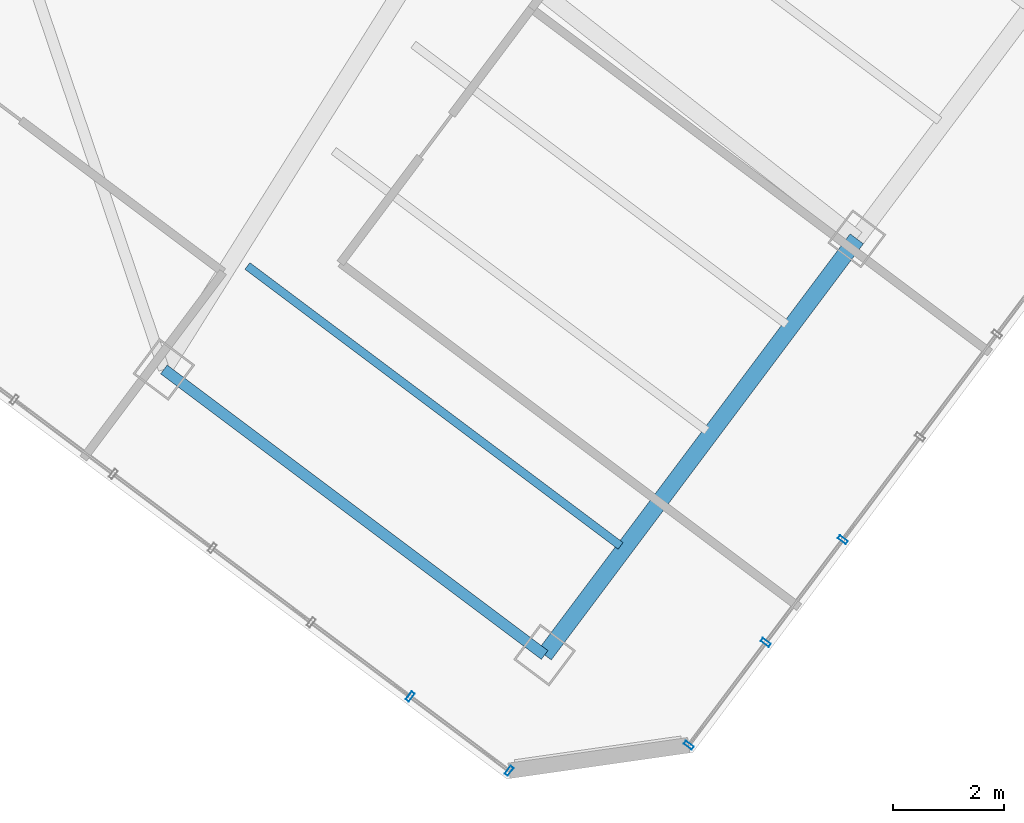
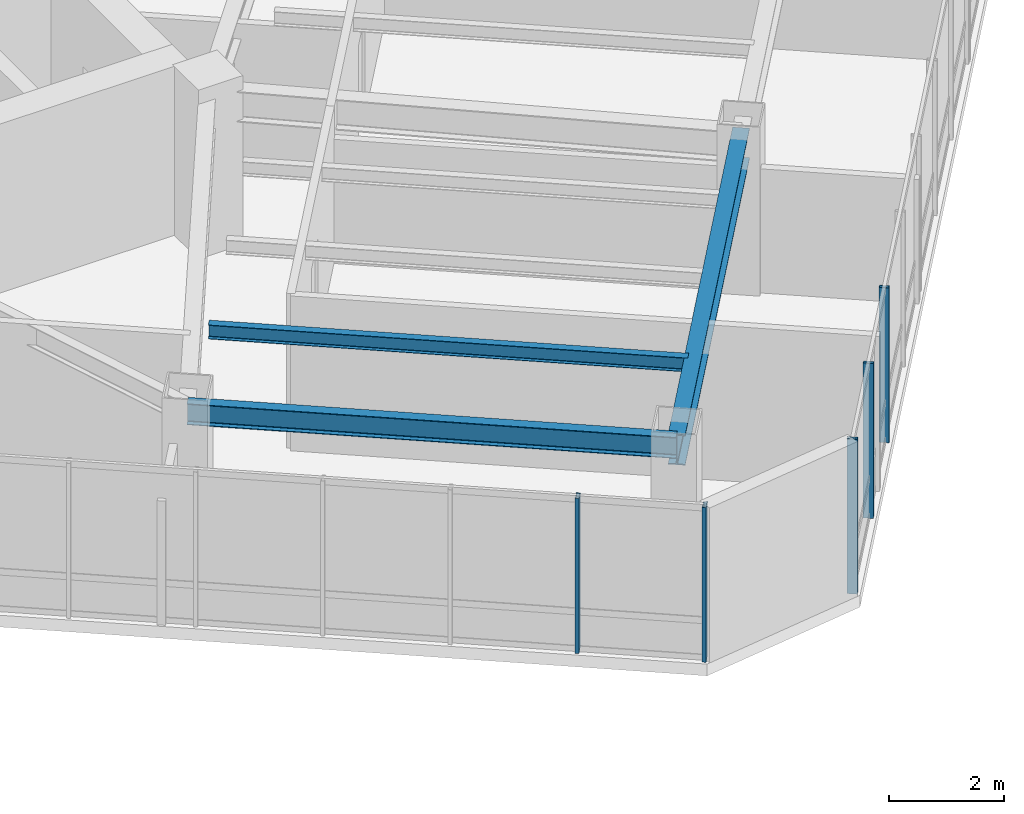
# One storey, part 13 of 29: 5 members, 3 beams, 2 elements without a shape of their own.
"""IFC4 building model written with IfcOpenShell, lengths in metres."""

from ifc_helpers import new_model, si_unit, direction, frame, origin, origin_2d, place, context, subcontext, project, spatial, hollow_rectangle, i_section, extrude, material, layer, layer_set, material_profile, profile_set, type_object, element, aggregate, save


model = new_model("IFC4")

# Units and contexts
model_context = context("Model", 3, precision=1e-05, world=origin(), true_north=direction((0.0, 1.0)))
body_context = subcontext(model_context, "Body", "Model", "MODEL_VIEW")
ifc_project = project(units=[si_unit("LENGTHUNIT", "METRE"), si_unit("AREAUNIT", "SQUARE_METRE"), si_unit("VOLUMEUNIT", "CUBIC_METRE"), si_unit("PLANEANGLEUNIT", "RADIAN"), si_unit("MASSUNIT", "GRAM", prefix="KILO")], contexts=[model_context])

# Site, building, storey
site_placement = place(None, origin())
site = spatial("IfcSite", under=ifc_project, at=site_placement, CompositionType="ELEMENT")
building_placement = place(site_placement, origin())
building = spatial("IfcBuilding", under=site, at=building_placement, Name="Hatsunagi Terrace Concourse", CompositionType="ELEMENT")
storey_placement = place(building_placement, frame((0.0, 0.0, 178.050048828125)))
storey = spatial("IfcBuildingStorey", under=building, at=storey_placement, Name="L47", CompositionType="ELEMENT", Elevation=178.050048828125)

# Curtain wall, members
ifc_material_1 = material(Name="Anodised Aluminium Alloy 6063-T5", Category="aluminium")
ifc_layer = layer(ifc_material_1, 0.199951171875)
ifc_layer_set = layer_set([ifc_layer], Name="OfficeZone1_CW03")
curtain_wall_type = type_object("IfcCurtainWallType", Name="OfficeZone1_CW03", PredefinedType="NOTDEFINED", material=ifc_layer_set)
curtain_wall_1_placement = place(storey_placement, origin())
curtain_wall_1 = element("IfcCurtainWall", 1, at=curtain_wall_1_placement, inside=storey, type_object=curtain_wall_type, Name="Unitised Curtain Wall CW-03 CW-L47-03", PredefinedType="NOTDEFINED")
ifc_material_2 = material(Name="Anodised Aluminium Alloy 6063-T5", Category="aluminium")
ifc_material_profile_1 = material_profile(ifc_material_2, hollow_rectangle(XDim=0.070068359375, YDim=0.179931640625, WallThickness=0.00390625, at=origin_2d()), Name="ALU-MUL-180x70x4")
ifc_profile_set_1 = profile_set([ifc_material_profile_1], Name="Anodised Aluminium Alloy 6063-T5")
member_type = type_object("IfcMemberType", Name="CurtainWallMullion_180x70", PredefinedType="MULLION", material=ifc_profile_set_1)
member_1_placement = place(storey_placement, frame((50.947021484375, 12.962890625, 0.0), z_axis=(0.0, 0.0, 1.0), x_axis=(-0.599969314634, -0.800023013105, 0.0)))
member_1 = element("IfcMember", 2, at=member_1_placement, type_object=member_type, Name="Curtain Wall Mullion MUL-02", PredefinedType="MULLION", context=body_context, shape_type="SweptSolid", body=[
    extrude(hollow_rectangle(XDim=0.070068359375, YDim=0.179931640625, WallThickness=0.00390625, at=origin_2d()), origin(), (0.0, 0.0, 1.0), 3.300048828125),
])
member_2_placement = place(storey_placement, frame((49.554931640625, 11.10595703125, 0.0), z_axis=(0.0, 0.0, 1.0), x_axis=(-0.599969314634, -0.800023013105, 0.0)))
member_2 = element("IfcMember", 3, at=member_2_placement, type_object=member_type, Name="Curtain Wall Mullion MUL-02", PredefinedType="MULLION", context=body_context, shape_type="SweptSolid", body=[
    extrude(hollow_rectangle(XDim=0.070068359375, YDim=0.179931640625, WallThickness=0.00390625, at=origin_2d()), origin(), (0.0, 0.0, 1.0), 3.300048828125),
])
member_3_placement = place(storey_placement, frame((48.1630859375, 9.25, 0.0), z_axis=(0.0, 0.0, 1.0), x_axis=(-0.599969314634, -0.800023013105, 0.0)))
member_3 = element("IfcMember", 4, at=member_3_placement, type_object=member_type, Name="Curtain Wall Mullion MUL-02", PredefinedType="MULLION", context=body_context, shape_type="SweptSolid", body=[
    extrude(hollow_rectangle(XDim=0.070068359375, YDim=0.179931640625, WallThickness=0.00390625, at=origin_2d()), origin(), (0.0, 0.0, 1.0), 3.300048828125),
])
aggregate(curtain_wall_1, [member_1, member_2, member_3])

curtain_wall_2_placement = place(storey_placement, origin())
curtain_wall_2 = element("IfcCurtainWall", 5, at=curtain_wall_2_placement, inside=storey, type_object=curtain_wall_type, Name="Unitised Curtain Wall CW-03 CW-L47-05", PredefinedType="NOTDEFINED")
member_4_placement = place(storey_placement, frame((44.91796875, 8.787109375, 0.0), z_axis=(0.0, 0.0, 1.0), x_axis=(-0.800005211305, 0.599993051531, 0.0)))
member_4 = element("IfcMember", 6, at=member_4_placement, type_object=member_type, Name="Curtain Wall Mullion MUL-02", PredefinedType="MULLION", context=body_context, shape_type="SweptSolid", body=[
    extrude(hollow_rectangle(XDim=0.070068359375, YDim=0.179931640625, WallThickness=0.00390625, at=origin_2d()), origin(), (0.0, 0.0, 1.0), 3.300048828125),
])
member_5_placement = place(storey_placement, frame((43.1298828125, 10.1279296875, 0.0), z_axis=(0.0, 0.0, 1.0), x_axis=(-0.800005211305, 0.599993051531, 0.0)))
member_5 = element("IfcMember", 7, at=member_5_placement, type_object=member_type, Name="Curtain Wall Mullion MUL-02", PredefinedType="MULLION", context=body_context, shape_type="SweptSolid", body=[
    extrude(hollow_rectangle(XDim=0.070068359375, YDim=0.179931640625, WallThickness=0.00390625, at=origin_2d()), origin(), (0.0, 0.0, 1.0), 3.300048828125),
])
aggregate(curtain_wall_2, [member_4, member_5])

# Beams
ifc_material_3 = material(Name="Steel SN490B", Category="steel")
ifc_material_profile_2 = material_profile(ifc_material_3, i_section(OverallWidth=0.14990234375, OverallDepth=0.300048828125, WebThickness=0.006591796875, FlangeThickness=0.009033203125, FilletRadius=0.010986328125, at=origin_2d()), Name="H-300x150x6.5x9")
ifc_profile_set_2 = profile_set([ifc_material_profile_2], Name="Steel SN490B")
beam_type_1 = type_object("IfcBeamType", Name="OfficeJoist_H_300x150", PredefinedType="JOIST", material=ifc_profile_set_2)
beam_1_placement = place(storey_placement, frame((40.18798828125, 17.908935546875, 3.14990234375), z_axis=(0.800003475366, -0.59999536615, 0.0), x_axis=(0.59999536615, 0.800003475366, 0.0)))
element("IfcBeam", 8, at=beam_1_placement, inside=storey, type_object=beam_type_1, Name="Beam J-03 J-L47-SE-2-46", PredefinedType="JOIST", context=body_context, shape_type="SweptSolid", body=[
    extrude(i_section(OverallWidth=0.14990234375, OverallDepth=0.300048828125, WebThickness=0.006591796875, FlangeThickness=0.009033203125, FilletRadius=0.010986328125, at=origin_2d()), origin(), (0.0, 0.0, 1.0), 8.429931640625),
])
ifc_material_4 = material(Name="Steel SN490B", Category="steel")
ifc_material_profile_3 = material_profile(ifc_material_4, i_section(OverallWidth=0.300048828125, OverallDepth=0.64990234375, WebThickness=0.012939453125, FlangeThickness=0.02197265625, FilletRadius=0.01806640625, at=origin_2d()), Name="H-650x300x13x22")
ifc_profile_set_3 = profile_set([ifc_material_profile_3], Name="Steel SN490B")
beam_type_2 = type_object("IfcBeamType", Name="OfficeLowGirder_H_650x300", PredefinedType="BEAM", material=ifc_profile_set_3)
beam_2_placement = place(storey_placement, frame((45.56005859375, 10.8798828125, 2.974853515625), z_axis=(0.599991688754, 0.800006233367, 0.0), x_axis=(-0.800006233367, 0.599991688754, 0.0)))
element("IfcBeam", 9, at=beam_2_placement, inside=storey, type_object=beam_type_2, Name="Beam G-05 BM-L47-SET-2A", PredefinedType="BEAM", context=body_context, shape_type="SweptSolid", body=[
    extrude(i_section(OverallWidth=0.300048828125, OverallDepth=0.64990234375, WebThickness=0.012939453125, FlangeThickness=0.02197265625, FilletRadius=0.01806640625, at=origin_2d()), origin(), (0.0, 0.0, 1.0), 9.39990234375),
])
ifc_material_5 = material(Name="Steel SN490B", Category="steel")
ifc_material_profile_4 = material_profile(ifc_material_5, i_section(OverallWidth=0.199951171875, OverallDepth=0.449951171875, WebThickness=0.009033203125, FlangeThickness=0.013916015625, FilletRadius=0.01611328125, at=origin_2d()), Name="H-450x200x9x14")
ifc_profile_set_4 = profile_set([ifc_material_profile_4], Name="Steel SN490B")
beam_type_3 = type_object("IfcBeamType", Name="PerimeterSpandrel_H_450x200", PredefinedType="SPANDREL", material=ifc_profile_set_4)
beam_3_placement = place(storey_placement, frame((38.679931640625, 16.0400390625, 3.074951171875), z_axis=(0.799996593451, -0.600004542038, 0.0), x_axis=(0.600004542038, 0.799996593451, 0.0)))
element("IfcBeam", 10, at=beam_3_placement, inside=storey, type_object=beam_type_3, Name="Beam SP-02 BM-L47-SE-SW2", PredefinedType="SPANDREL", context=body_context, shape_type="SweptSolid", body=[
    extrude(i_section(OverallWidth=0.199951171875, OverallDepth=0.449951171875, WebThickness=0.009033203125, FlangeThickness=0.013916015625, FilletRadius=0.01611328125, at=origin_2d()), origin(), (0.0, 0.0, 1.0), 8.60009765625),
])

save(model, "model.ifc")
